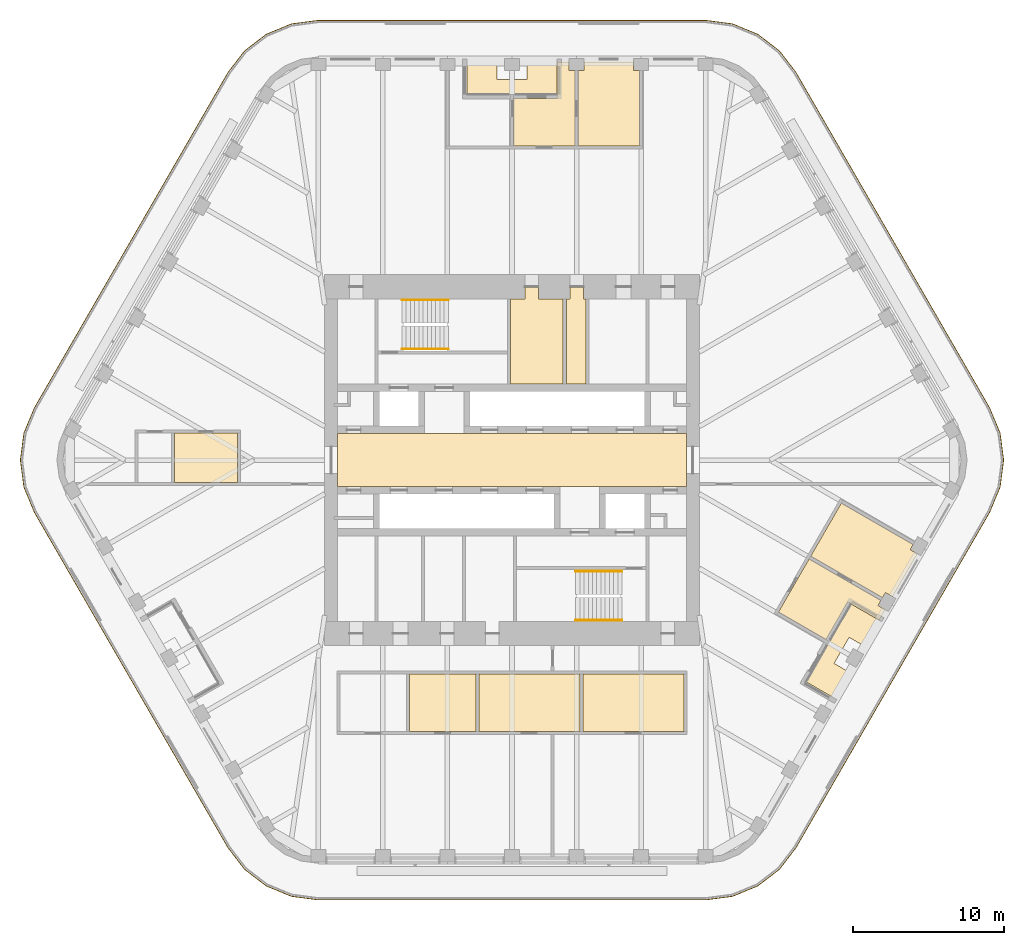
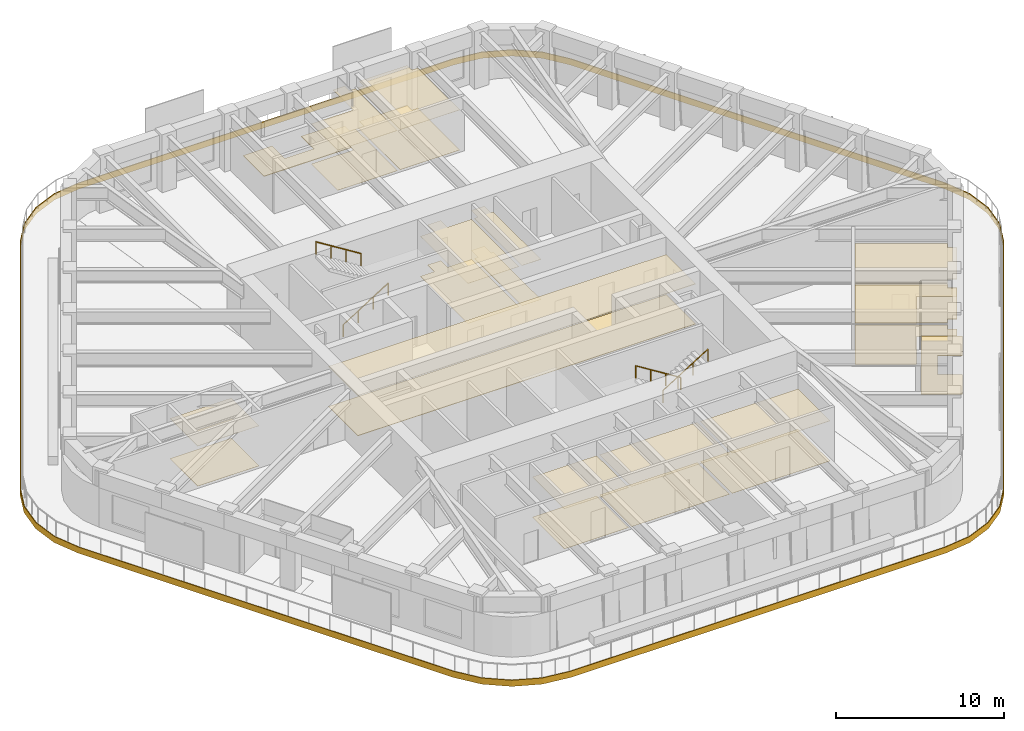
# One storey, part 18 of 19: 11 coverings, 4 railings.
"""IFC4 building model written with IfcOpenShell, lengths in metres."""

from ifc_helpers import new_model, si_unit, direction, frame, origin, origin_2d, place, context, subcontext, project, spatial, polyline, circle, outline, extrude, material, layer, layer_set, type_object, element, save


model = new_model("IFC4")

# Units and contexts
model_context = context("Model", 3, precision=1e-05, world=origin(), true_north=direction((0.0, 1.0)))
body_context = subcontext(model_context, "Body", "Model", "MODEL_VIEW")
ifc_project = project(units=[si_unit("LENGTHUNIT", "METRE"), si_unit("AREAUNIT", "SQUARE_METRE"), si_unit("VOLUMEUNIT", "CUBIC_METRE"), si_unit("PLANEANGLEUNIT", "RADIAN"), si_unit("MASSUNIT", "GRAM", prefix="KILO")], contexts=[model_context])

# Site, building, storey
site_placement = place(None, origin())
site = spatial("IfcSite", under=ifc_project, at=site_placement, CompositionType="ELEMENT")
building_placement = place(site_placement, origin())
building = spatial("IfcBuilding", under=site, at=building_placement, Name="Tarfa Lantern Tower", CompositionType="ELEMENT")
storey_placement = place(building_placement, frame((0.0, 0.0, 332.5)))
storey = spatial("IfcBuildingStorey", under=building, at=storey_placement, Name="L75", CompositionType="ELEMENT", Elevation=332.5)

# Coverings
ifc_material_1 = material(Name="Mineral fibre acoustic tile on suspension grid", Category="finish")
ifc_layer_1 = layer(ifc_material_1, 0.02001953125)
ifc_layer_set_1 = layer_set([ifc_layer_1], Name="CL1 ACOUSTIC TILE CEILING 20")
covering_type_1 = type_object("IfcCoveringType", Name="CL1 ACOUSTIC TILE CEILING 20", PredefinedType="CEILING", material=ifc_layer_set_1)
covering_1_placement = place(storey_placement, frame((0.0, 0.0, 2.89990234375)))
element("IfcCovering", 1, at=covering_1_placement, inside=storey, type_object=covering_type_1, Name="Ceiling L75 CL1", PredefinedType="CEILING", context=body_context, shape_type="SweptSolid", body=[
    extrude(outline(polyline([(-2.199951171875, -14.199951171875), (4.5, -14.199951171875), (4.5, -18.0), (-2.199951171875, -18.0), (-2.199951171875, -14.199951171875)])), origin(), (0.0, 0.0, 1.0), 0.02001953125),
    extrude(outline(polyline([(-6.800048828125, -14.199951171875), (-2.39990234375, -14.199951171875), (-2.39990234375, -18.0), (-6.800048828125, -18.0), (-6.800048828125, -14.199951171875)])), origin(), (0.0, 0.0, 1.0), 0.02001953125),
    extrude(outline(polyline([(4.18212890625, 20.85009765625), (0.10009765625, 20.85009765625), (0.10009765625, 24.0), (2.98193359375, 24.0), (2.98193359375, 26.39990234375), (3.781982421875, 26.39990234375), (3.781982421875, 25.85009765625), (4.18212890625, 25.85009765625), (4.18212890625, 20.85009765625)])), origin(), (0.0, 0.0, 1.0), 0.02001953125),
    extrude(outline(polyline([(19.714599609375, -6.55322265625), (24.477783203125, -9.30322265625), (24.27783203125, -9.649658203125), (24.754150390625, -9.924560546875), (24.35400390625, -10.617431640625), (22.275634765625, -9.41748046875), (20.834716796875, -11.913330078125), (17.673583984375, -10.08837890625), (19.714599609375, -6.55322265625)])), origin(), (0.0, 0.0, 1.0), 0.02001953125),
    extrude(outline(polyline([(-22.400146484375, 1.800048828125), (-18.2001953125, 1.800048828125), (-18.2001953125, -1.5), (-22.400146484375, -1.5), (-22.400146484375, 1.800048828125)])), origin(), (0.0, 0.0, 1.0), 0.02001953125),
    extrude(outline(polyline([(4.699951171875, -14.199951171875), (11.39990234375, -14.199951171875), (11.39990234375, -18.0), (4.699951171875, -18.0), (4.699951171875, -14.199951171875)])), origin(), (0.0, 0.0, 1.0), 0.02001953125),
    extrude(outline(polyline([(8.464111328125, 20.85009765625), (4.382080078125, 20.85009765625), (4.382080078125, 25.85009765625), (4.781982421875, 25.85009765625), (4.781982421875, 26.39990234375), (8.06396484375, 26.39990234375), (8.06396484375, 25.85009765625), (8.464111328125, 25.85009765625), (8.464111328125, 20.85009765625)])), origin(), (0.0, 0.0, 1.0), 0.02001953125),
    extrude(outline(polyline([(21.855712890625, -2.844970703125), (26.61865234375, -5.594970703125), (26.418701171875, -5.94140625), (26.89501953125, -6.21630859375), (25.254150390625, -9.05859375), (24.77783203125, -8.78369140625), (24.577880859375, -9.130126953125), (19.814697265625, -6.380126953125), (21.855712890625, -2.844970703125)])), origin(), (0.0, 0.0, 1.0), 0.02001953125),
])
ifc_material_2 = material(Name="Moisture-resistant plasterboard", Category="finish")
ifc_layer_2 = layer(ifc_material_2, 0.014892578125)
ifc_layer_set_2 = layer_set([ifc_layer_2], Name="CL2 MOISTURE-RESISTANT PLASTERBOARD CEILING 15")
covering_type_2 = type_object("IfcCoveringType", Name="CL2 MOISTURE-RESISTANT PLASTERBOARD CEILING 15", PredefinedType="CEILING", material=ifc_layer_set_2)
covering_2_placement = place(storey_placement, frame((0.0, 0.0, 2.89990234375)))
element("IfcCovering", 2, at=covering_2_placement, inside=storey, type_object=covering_type_2, Name="Ceiling L75-05", PredefinedType="CEILING", context=body_context, shape_type="SweptSolid", body=[
    extrude(outline(polyline([(0.85009765625, 10.699951171875), (-0.10009765625, 10.699951171875), (-0.10009765625, 5.050048828125), (3.39990234375, 5.050048828125), (3.39990234375, 10.699951171875), (1.75, 10.699951171875), (1.75, 11.5), (0.85009765625, 11.5), (0.85009765625, 11.5), (0.85009765625, 10.699951171875)])), origin(), (0.0, 0.0, 1.0), 0.01513671875),
])
covering_3_placement = place(storey_placement, frame((0.0, 0.0, 2.89990234375)))
element("IfcCovering", 3, at=covering_3_placement, inside=storey, type_object=covering_type_2, Name="Ceiling L75-06", PredefinedType="CEILING", context=body_context, shape_type="SweptSolid", body=[
    extrude(outline(polyline([(3.60009765625, 5.050048828125), (4.89990234375, 5.050048828125), (4.89990234375, 10.699951171875), (4.75, 10.699951171875), (4.75, 11.5), (3.85009765625, 11.5), (3.85009765625, 10.699951171875), (3.60009765625, 10.699951171875), (3.60009765625, 5.050048828125)])), origin(), (0.0, 0.0, 1.0), 0.01513671875),
])
ifc_material_3 = material(Name="Powder-coated aluminium panel", Category="aluminium")
ifc_layer_3 = layer(ifc_material_3, 0.030029296875)
ifc_layer_set_3 = layer_set([ifc_layer_3], Name="CL3 METAL PANEL CEILING 30")
covering_type_3 = type_object("IfcCoveringType", Name="CL3 METAL PANEL CEILING 30", PredefinedType="CEILING", material=ifc_layer_set_3)
covering_4_placement = place(storey_placement, frame((0.0, 0.0, 2.89990234375)))
element("IfcCovering", 4, at=covering_4_placement, inside=storey, type_object=covering_type_3, Name="Ceiling L75-01", PredefinedType="CEILING", context=body_context, shape_type="SweptSolid", body=[
    extrude(outline(polyline([(-11.574951171875, -1.75), (11.574951171875, -1.75), (11.574951171875, 1.75), (-11.574951171875, 1.75), (-11.574951171875, -1.75)])), origin(), (0.0, 0.0, 1.0), 0.030029296875),
])
ifc_material_4 = material(Name="Nylon carpet tile", Category="finish")
ifc_layer_4 = layer(ifc_material_4, 0.010009765625)
ifc_layer_set_4 = layer_set([ifc_layer_4], Name="FL1 CARPET TILE 10")
covering_type_4 = type_object("IfcCoveringType", Name="FL1 CARPET TILE 10", PredefinedType="FLOORING", material=ifc_layer_set_4)
covering_5_placement = place(storey_placement, origin())
element("IfcCovering", 5, at=covering_5_placement, inside=storey, type_object=covering_type_4, Name="Floor finish L75 FL1", PredefinedType="FLOORING", context=body_context, shape_type="SweptSolid", body=[
    extrude(outline(polyline([(-2.199951171875, -14.199951171875), (4.5, -14.199951171875), (4.5, -18.0), (-2.199951171875, -18.0), (-2.199951171875, -14.199951171875)])), origin(), (0.0, 0.0, 1.0), 0.010009765625),
    extrude(outline(polyline([(-6.800048828125, -14.199951171875), (-2.39990234375, -14.199951171875), (-2.39990234375, -18.0), (-6.800048828125, -18.0), (-6.800048828125, -14.199951171875)])), origin(), (0.0, 0.0, 1.0), 0.010009765625),
    extrude(outline(polyline([(4.18212890625, 20.85009765625), (0.10009765625, 20.85009765625), (0.10009765625, 24.0), (2.98193359375, 24.0), (2.98193359375, 26.39990234375), (3.781982421875, 26.39990234375), (3.781982421875, 25.85009765625), (4.18212890625, 25.85009765625), (4.18212890625, 20.85009765625)])), origin(), (0.0, 0.0, 1.0), 0.010009765625),
    extrude(outline(polyline([(19.714599609375, -6.55322265625), (24.477783203125, -9.30322265625), (24.27783203125, -9.649658203125), (24.754150390625, -9.924560546875), (24.35400390625, -10.617431640625), (22.275634765625, -9.41748046875), (20.834716796875, -11.913330078125), (17.673583984375, -10.08837890625), (19.714599609375, -6.55322265625)])), origin(), (0.0, 0.0, 1.0), 0.010009765625),
    extrude(outline(polyline([(-22.400146484375, 1.800048828125), (-18.2001953125, 1.800048828125), (-18.2001953125, -1.5), (-22.400146484375, -1.5), (-22.400146484375, 1.800048828125)])), origin(), (0.0, 0.0, 1.0), 0.010009765625),
    extrude(outline(polyline([(4.699951171875, -14.199951171875), (11.39990234375, -14.199951171875), (11.39990234375, -18.0), (4.699951171875, -18.0), (4.699951171875, -14.199951171875)])), origin(), (0.0, 0.0, 1.0), 0.010009765625),
    extrude(outline(polyline([(8.464111328125, 20.85009765625), (4.382080078125, 20.85009765625), (4.382080078125, 25.85009765625), (4.781982421875, 25.85009765625), (4.781982421875, 26.39990234375), (8.06396484375, 26.39990234375), (8.06396484375, 25.85009765625), (8.464111328125, 25.85009765625), (8.464111328125, 20.85009765625)])), origin(), (0.0, 0.0, 1.0), 0.010009765625),
    extrude(outline(polyline([(21.855712890625, -2.844970703125), (26.61865234375, -5.594970703125), (26.418701171875, -5.94140625), (26.89501953125, -6.21630859375), (25.254150390625, -9.05859375), (24.77783203125, -8.78369140625), (24.577880859375, -9.130126953125), (19.814697265625, -6.380126953125), (21.855712890625, -2.844970703125)])), origin(), (0.0, 0.0, 1.0), 0.010009765625),
])
ifc_material_5 = material(Name="Honed limestone flooring", Category="masonry")
ifc_layer_5 = layer(ifc_material_5, 0.030029296875)
ifc_layer_set_5 = layer_set([ifc_layer_5], Name="FL2 STONE FLOORING 30")
covering_type_5 = type_object("IfcCoveringType", Name="FL2 STONE FLOORING 30", PredefinedType="FLOORING", material=ifc_layer_set_5)
covering_6_placement = place(storey_placement, origin())
element("IfcCovering", 6, at=covering_6_placement, inside=storey, type_object=covering_type_5, Name="Floor finish L75-01", PredefinedType="FLOORING", context=body_context, shape_type="SweptSolid", body=[
    extrude(outline(polyline([(-11.574951171875, -1.75), (11.574951171875, -1.75), (11.574951171875, 1.75), (-11.574951171875, 1.75), (-11.574951171875, -1.75)])), origin(), (0.0, 0.0, 1.0), 0.030029296875),
])
ifc_material_6 = material(Name="Porcelain floor tile", Category="finish")
ifc_layer_6 = layer(ifc_material_6, 0.011962890625)
ifc_layer_set_6 = layer_set([ifc_layer_6], Name="FL3 CERAMIC TILE 12")
covering_type_6 = type_object("IfcCoveringType", Name="FL3 CERAMIC TILE 12", PredefinedType="FLOORING", material=ifc_layer_set_6)
covering_7_placement = place(storey_placement, origin())
element("IfcCovering", 7, at=covering_7_placement, inside=storey, type_object=covering_type_6, Name="Floor finish L75-05", PredefinedType="FLOORING", context=body_context, shape_type="SweptSolid", body=[
    extrude(outline(polyline([(0.85009765625, 10.699951171875), (-0.10009765625, 10.699951171875), (-0.10009765625, 5.050048828125), (3.39990234375, 5.050048828125), (3.39990234375, 10.699951171875), (1.75, 10.699951171875), (1.75, 11.5), (0.85009765625, 11.5), (0.85009765625, 11.5), (0.85009765625, 10.699951171875)])), origin(), (0.0, 0.0, 1.0), 0.011962890625),
])
covering_8_placement = place(storey_placement, origin())
element("IfcCovering", 8, at=covering_8_placement, inside=storey, type_object=covering_type_6, Name="Floor finish L75-06", PredefinedType="FLOORING", context=body_context, shape_type="SweptSolid", body=[
    extrude(outline(polyline([(3.60009765625, 5.050048828125), (4.89990234375, 5.050048828125), (4.89990234375, 10.699951171875), (4.75, 10.699951171875), (4.75, 11.5), (3.85009765625, 11.5), (3.85009765625, 10.699951171875), (3.60009765625, 10.699951171875), (3.60009765625, 5.050048828125)])), origin(), (0.0, 0.0, 1.0), 0.011962890625),
])

# Railings
ifc_material_7 = material(Name="Stainless steel", Category="steel")
railing_type = type_object("IfcRailingType", Name="HR1 HANDRAIL 900", PredefinedType="HANDRAIL", material=ifc_material_7)
railing_1_placement = place(storey_placement, frame((-7.300048828125, 7.3798828125, 0.175048828125)))
element("IfcRailing", 9, at=railing_1_placement, inside=storey, type_object=railing_type, Name="Handrail 1", PredefinedType="HANDRAIL", context=body_context, shape_type="SweptSolid", body=[
    extrude(circle(Radius=0.02392578125, at=origin_2d()), frame((0.0, 0.0, 0.8759765625), z_axis=(0.847998304005, 0.0, 0.529998940003), x_axis=(0.0, 1.0, 0.0)), (0.0, 0.0, 1.0), 3.632080078125),
    extrude(circle(Radius=0.02099609375, at=origin_2d()), frame((0.0, 0.0, 0.0), z_axis=(0.0, 0.0, 1.0), x_axis=(0.0, 1.0, 0.0)), (0.0, 0.0, 1.0), 0.851806640625),
    extrude(circle(Radius=0.02099609375, at=origin_2d()), frame((1.026611328125, 0.0, 0.6416015625), z_axis=(0.0, 0.0, 1.0), x_axis=(0.0, 1.0, 0.0)), (0.0, 0.0, 1.0), 0.851806640625),
    extrude(circle(Radius=0.02099609375, at=origin_2d()), frame((2.053466796875, 0.0, 1.283447265625), z_axis=(0.0, 0.0, 1.0), x_axis=(0.0, 1.0, 0.0)), (0.0, 0.0, 1.0), 0.851806640625),
    extrude(circle(Radius=0.02099609375, at=origin_2d()), frame((3.080078125, 0.0, 1.925048828125), z_axis=(0.0, 0.0, 1.0), x_axis=(0.0, 1.0, 0.0)), (0.0, 0.0, 1.0), 0.851806640625),
])
for number, where, name in (
    (10, (-4.219970703125, 10.6201171875, 2.27490234375), "Handrail 2"),
    (11, (7.300048828125, -7.3798828125, 0.175048828125), "Handrail 1"),
):
    element("IfcRailing", number, at=place(storey_placement, frame(where)), inside=storey, type_object=railing_type, Name=name, PredefinedType="HANDRAIL", context=body_context, shape_type="SweptSolid", body=[
        extrude(circle(Radius=0.02392578125, at=origin_2d()), frame((0.0, 0.0, 0.8759765625), z_axis=(-0.847998304005, 0.0, 0.529998940003), x_axis=(0.0, -1.0, 0.0)), (0.0, 0.0, 1.0), 3.632080078125),
        extrude(circle(Radius=0.02099609375, at=origin_2d()), frame((0.0, 0.0, 0.0), z_axis=(0.0, 0.0, 1.0), x_axis=(0.0, -1.0, 0.0)), (0.0, 0.0, 1.0), 0.851806640625),
        extrude(circle(Radius=0.02099609375, at=origin_2d()), frame((-1.026611328125, 0.0, 0.6416015625), z_axis=(0.0, 0.0, 1.0), x_axis=(0.0, -1.0, 0.0)), (0.0, 0.0, 1.0), 0.851806640625),
        extrude(circle(Radius=0.02099609375, at=origin_2d()), frame((-2.053466796875, 0.0, 1.283447265625), z_axis=(0.0, 0.0, 1.0), x_axis=(0.0, -1.0, 0.0)), (0.0, 0.0, 1.0), 0.851806640625),
        extrude(circle(Radius=0.02099609375, at=origin_2d()), frame((-3.080078125, 0.0, 1.925048828125), z_axis=(0.0, 0.0, 1.0), x_axis=(0.0, -1.0, 0.0)), (0.0, 0.0, 1.0), 0.851806640625),
    ])
railing_2_placement = place(storey_placement, frame((4.219970703125, -10.6201171875, 2.27490234375)))
element("IfcRailing", 12, at=railing_2_placement, inside=storey, type_object=railing_type, Name="Handrail 2", PredefinedType="HANDRAIL", context=body_context, shape_type="SweptSolid", body=[
    extrude(circle(Radius=0.02392578125, at=origin_2d()), frame((0.0, 0.0, 0.8759765625), z_axis=(0.847998304005, 0.0, 0.529998940003), x_axis=(0.0, 1.0, 0.0)), (0.0, 0.0, 1.0), 3.632080078125),
    extrude(circle(Radius=0.02099609375, at=origin_2d()), frame((0.0, 0.0, 0.0), z_axis=(0.0, 0.0, 1.0), x_axis=(0.0, 1.0, 0.0)), (0.0, 0.0, 1.0), 0.851806640625),
    extrude(circle(Radius=0.02099609375, at=origin_2d()), frame((1.026611328125, 0.0, 0.6416015625), z_axis=(0.0, 0.0, 1.0), x_axis=(0.0, 1.0, 0.0)), (0.0, 0.0, 1.0), 0.851806640625),
    extrude(circle(Radius=0.02099609375, at=origin_2d()), frame((2.053466796875, 0.0, 1.283447265625), z_axis=(0.0, 0.0, 1.0), x_axis=(0.0, 1.0, 0.0)), (0.0, 0.0, 1.0), 0.851806640625),
    extrude(circle(Radius=0.02099609375, at=origin_2d()), frame((3.080078125, 0.0, 1.925048828125), z_axis=(0.0, 0.0, 1.0), x_axis=(0.0, 1.0, 0.0)), (0.0, 0.0, 1.0), 0.851806640625),
])

# Coverings
ifc_material_8 = material(Name="Porcelain pavers on pedestals", Category="ceramic")
ifc_layer_7 = layer(ifc_material_8, 0.0400390625)
ifc_layer_set_7 = layer_set([ifc_layer_7], Name="LP1 LOGGIA PAVING 40")
covering_type_7 = type_object("IfcCoveringType", Name="LP1 LOGGIA PAVING 40", PredefinedType="FLOORING", material=ifc_layer_set_7)
covering_9_placement = place(storey_placement, origin())
element("IfcCovering", 13, at=covering_9_placement, inside=storey, type_object=covering_type_7, Name="Terrace paving N", PredefinedType="FLOORING", context=body_context, shape_type="SweptSolid", body=[
    extrude(outline(polyline([(2.98193359375, 26.75), (2.98193359375, 24.27001953125), (-2.98193359375, 24.27001953125), (-2.98193359375, 26.75), (-1.0, 26.75), (-1.0, 25.25), (1.0, 25.25), (1.0, 26.75), (2.98193359375, 26.75)])), origin(), (0.0, 0.0, 1.0), 0.0400390625),
])
covering_10_placement = place(storey_placement, origin())
element("IfcCovering", 14, at=covering_10_placement, inside=storey, type_object=covering_type_7, Name="Terrace paving SE", PredefinedType="FLOORING", context=body_context, shape_type="SweptSolid", body=[
    extrude(outline(polyline([(21.67529296875, -15.95751953125), (19.52734375, -14.717529296875), (22.509521484375, -9.552490234375), (24.6572265625, -10.79248046875), (23.666259765625, -12.509033203125), (22.3671875, -11.759033203125), (21.3671875, -13.490966796875), (22.666259765625, -14.240966796875), (21.67529296875, -15.95751953125)])), origin(), (0.0, 0.0, 1.0), 0.0400390625),
])
ifc_material_9 = material(Name="Limestone cladding on brackets", Category="masonry")
ifc_layer_8 = layer(ifc_material_9, 0.050048828125)
ifc_layer_set_8 = layer_set([ifc_layer_8], Name="SB1 STONE BAND CLADDING 50")
covering_type_8 = type_object("IfcCoveringType", Name="SB1 STONE BAND CLADDING 50", PredefinedType="CLADDING", material=ifc_layer_set_8)
covering_11_placement = place(storey_placement, frame((0.0, 0.0, -0.39990234375)))
element("IfcCovering", 15, at=covering_11_placement, inside=storey, type_object=covering_type_8, Name="Stone band", PredefinedType="CLADDING", context=body_context, shape_type="SweptSolid", body=[
    extrude(outline(polyline([(31.7109375, 3.47509765625), (18.864990234375, 25.72509765625), (17.760498046875, 27.164306640625), (16.321044921875, 28.268798828125), (14.644775390625, 28.963134765625), (12.845947265625, 29.199951171875), (-12.845947265625, 29.199951171875), (-14.644775390625, 28.963134765625), (-16.321044921875, 28.268798828125), (-17.760498046875, 27.164306640625), (-18.864990234375, 25.72509765625), (-31.7109375, 3.47509765625), (-32.4052734375, 1.798828125), (-32.64208984375, 0.0), (-32.4052734375, -1.798828125), (-31.7109375, -3.47509765625), (-18.864990234375, -25.72509765625), (-17.760498046875, -27.164306640625), (-16.321044921875, -28.268798828125), (-14.644775390625, -28.963134765625), (-12.845947265625, -29.199951171875), (12.845947265625, -29.199951171875), (14.644775390625, -28.963134765625), (16.321044921875, -28.268798828125), (17.760498046875, -27.164306640625), (18.864990234375, -25.72509765625), (31.7109375, -3.47509765625), (32.4052734375, -1.798828125), (32.64208984375, 0.0), (32.4052734375, 1.798828125), (31.7109375, 3.47509765625)]), holes=[polyline([(31.667724609375, 3.449951171875), (18.821533203125, 25.699951171875), (17.72509765625, 27.129150390625), (16.296142578125, 28.2255859375), (14.6318359375, 28.914794921875), (12.845947265625, 29.14990234375), (-12.845947265625, 29.14990234375), (-14.6318359375, 28.914794921875), (-16.296142578125, 28.2255859375), (-17.72509765625, 27.129150390625), (-18.821533203125, 25.699951171875), (-31.667724609375, 3.449951171875), (-32.35693359375, 1.785888671875), (-32.592041015625, 0.0), (-32.35693359375, -1.785888671875), (-31.667724609375, -3.449951171875), (-18.821533203125, -25.699951171875), (-17.72509765625, -27.129150390625), (-16.296142578125, -28.2255859375), (-14.6318359375, -28.914794921875), (-12.845947265625, -29.14990234375), (12.845947265625, -29.14990234375), (14.6318359375, -28.914794921875), (16.296142578125, -28.2255859375), (17.72509765625, -27.129150390625), (18.821533203125, -25.699951171875), (31.667724609375, -3.449951171875), (32.35693359375, -1.785888671875), (32.592041015625, 0.0), (32.35693359375, 1.785888671875), (31.667724609375, 3.449951171875)])]), origin(), (0.0, 0.0, 1.0), 0.449951171875),
])

save(model, "model.ifc")
